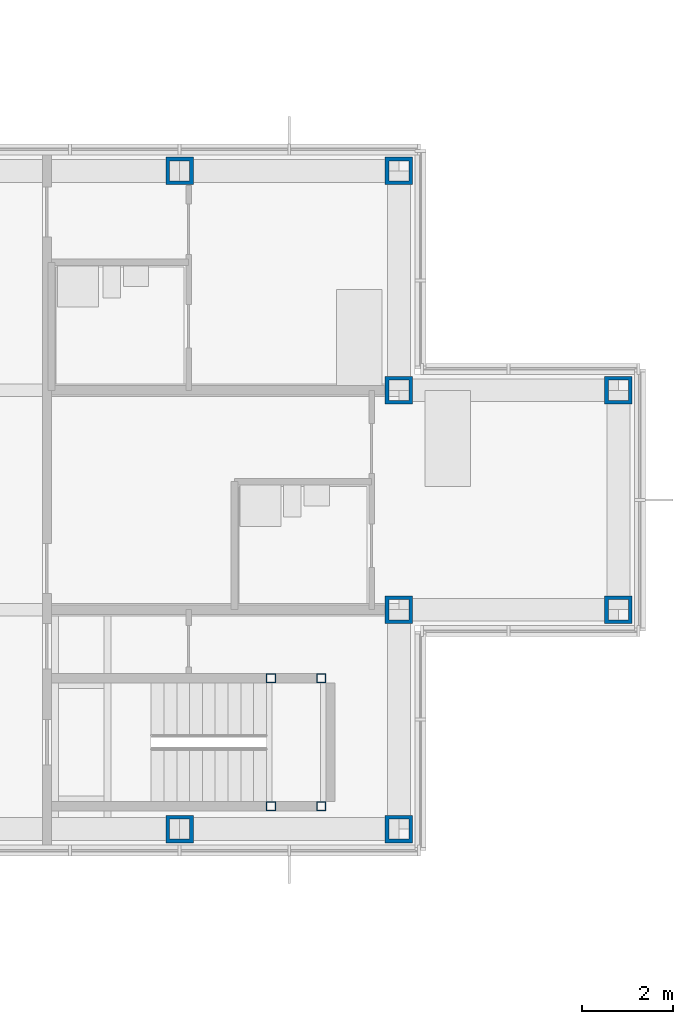
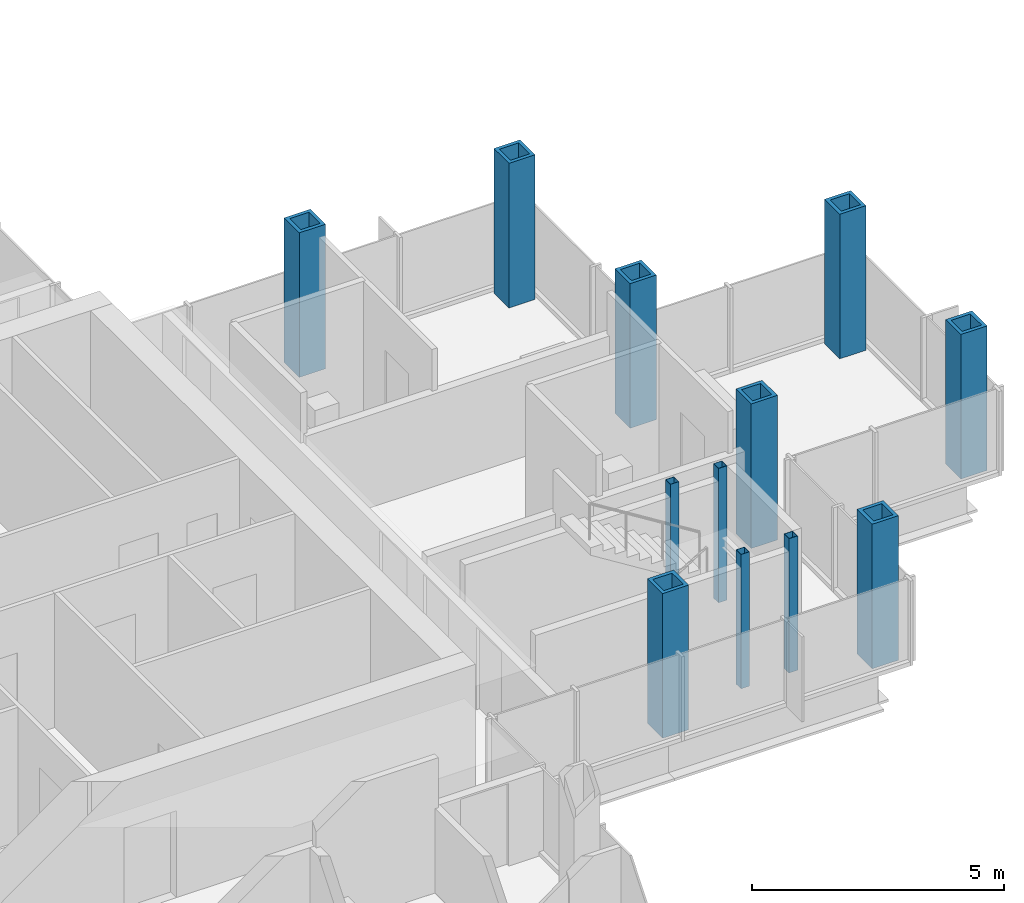
# One storey, part 4 of 17: 12 columns.
"""IFC4 building model written with IfcOpenShell, lengths in metres."""

import ifcopenshell
import ifcopenshell.guid

model = None  # the IFC model being written
_history = None  # IfcOwnerHistory: only IFC2X3 demands one
_inside = {}  # id of a spatial element -> (the spatial element, [elements in it])
_under = {}  # id of a project, library or spatial element -> (it, [spatial elements below it])
_declared = {}  # id of a project -> (the project, [libraries it declares])
_typed = {}  # id of a type object -> (the type object, [elements of that type])
_made_of = {}  # id of a material, layer set ... -> (it, [elements and type objects made of it])


def new_model(schema):
    """Start an empty IFC model of exactly this schema.

    Asked for "IFC4X3", IfcOpenShell would pick the latest addendum, in which some entities
    have other attributes; the version numbers below select the first issue.
    IFC2X3 requires an IfcOwnerHistory on every rooted entity: one is made here for all.
    """
    global model, _history
    if schema == "IFC4X3":
        model = ifcopenshell.file(schema_version=(4, 3, 0, 0))
    else:
        model = ifcopenshell.file(schema=schema)
    _inside.clear()
    _under.clear()
    _declared.clear()
    _typed.clear()
    _made_of.clear()
    _history = None
    if model.schema == "IFC2X3":
        org = make("IfcOrganization", Name="unknown")
        user = make(
            "IfcPersonAndOrganization",
            ThePerson=make("IfcPerson", FamilyName="unknown"),
            TheOrganization=org,
        )
        app = make(
            "IfcApplication",
            ApplicationDeveloper=org,
            Version="unknown",
            ApplicationFullName="unknown",
            ApplicationIdentifier="unknown",
        )
        _history = make(
            "IfcOwnerHistory",
            OwningUser=user,
            OwningApplication=app,
            ChangeAction="ADDED",
            CreationDate=0,
        )
    return model


def make(cls, **values):
    """One entity of the class cls with the attributes given. An attribute that is None is left unset."""
    return model.create_entity(
        cls, **{name: value for name, value in values.items() if value is not None}
    )


def rooted(cls, **values):
    """An entity with a GlobalId (a new one), such as an element, a storey or a relation."""
    return make(cls, GlobalId=ifcopenshell.guid.new(), OwnerHistory=_history, **values)


def si_unit(unit_type, name, prefix=None):
    """IfcSIUnit, for example si_unit("LENGTHUNIT", "METRE", prefix="MILLI")."""
    return make("IfcSIUnit", UnitType=unit_type, Prefix=prefix, Name=name)


def assignment(units):
    """IfcUnitAssignment: the units of a project."""
    return None if units is None else make("IfcUnitAssignment", Units=units)


def point(xyz):
    """IfcCartesianPoint."""
    return None if xyz is None else make("IfcCartesianPoint", Coordinates=xyz)


def direction(xyz):
    """IfcDirection."""
    return None if xyz is None else make("IfcDirection", DirectionRatios=xyz)


def frame(location, z_axis=None, x_axis=None):
    """IfcAxis2Placement3D, a coordinate frame: its origin and axes. An axis left out is left unset."""
    return make(
        "IfcAxis2Placement3D",
        Location=point(location),
        Axis=direction(z_axis),
        RefDirection=direction(x_axis),
    )


def frame_2d(location, x_axis=None):
    """IfcAxis2Placement2D, a coordinate frame in the plane: its origin and x axis."""
    return make(
        "IfcAxis2Placement2D", Location=point(location), RefDirection=direction(x_axis)
    )


def origin():
    """The frame at (0, 0, 0) with its axes left unset."""
    return frame((0.0, 0.0, 0.0))


def origin_2d():
    """The frame at (0, 0) in the plane with its x axis left unset."""
    return frame_2d((0.0, 0.0))


def place(relative_to, where):
    """IfcLocalPlacement: puts the frame where relative to a parent placement (None: the world)."""
    return make(
        "IfcLocalPlacement", PlacementRelTo=relative_to, RelativePlacement=where
    )


def context(
    kind, dimensions, precision=None, world=None, true_north=None, identifier=None
):
    """IfcGeometricRepresentationContext, for example the 3D "Model" context."""
    return make(
        "IfcGeometricRepresentationContext",
        ContextIdentifier=identifier,
        ContextType=kind,
        CoordinateSpaceDimension=dimensions,
        Precision=precision,
        WorldCoordinateSystem=world,
        TrueNorth=true_north,
    )


def subcontext(parent, identifier, kind, view, scale=None):
    """IfcGeometricRepresentationSubContext, for example "Body" below "Model"."""
    return make(
        "IfcGeometricRepresentationSubContext",
        ContextIdentifier=identifier,
        ContextType=kind,
        ParentContext=parent,
        TargetScale=scale,
        TargetView=view,
    )


def project(units=None, contexts=None):
    """IfcProject with its units and contexts."""
    return rooted(
        "IfcProject",
        Name="project",
        RepresentationContexts=contexts,
        UnitsInContext=assignment(units),
    )


def spatial(cls, under=None, at=None, **own):
    """A site, building, storey or space (cls), placed at a placement, below another one or the project."""
    s = rooted(cls, ObjectPlacement=at, **own)
    if under is not None:
        _under.setdefault(under.id(), (under, []))[1].append(s)
    return s


def profile(cls, at=None, kind="AREA", **sizes):
    """A parametric profile (cls). Its sizes go by their IFC names, for example OverallWidth=200.0."""
    return make(cls, ProfileType=kind, Position=at, **sizes)


def hollow_rectangle(**sizes):
    """IfcRectangleHollowProfileDef."""
    return profile("IfcRectangleHollowProfileDef", **sizes)


def extrude(swept, where, along, depth):
    """IfcExtrudedAreaSolid: the profile swept, set in the frame where, extruded along a direction by depth."""
    return make(
        "IfcExtrudedAreaSolid",
        SweptArea=swept,
        Position=where,
        ExtrudedDirection=direction(along),
        Depth=depth,
    )


def shape(context_of_items, identifier, shape_type, items):
    """IfcShapeRepresentation: the items that make up one representation, for example the "Body"."""
    return make(
        "IfcShapeRepresentation",
        ContextOfItems=context_of_items,
        RepresentationIdentifier=identifier,
        RepresentationType=shape_type,
        Items=items,
    )


def material(Name=None, Category=None):
    """IfcMaterial."""
    return make("IfcMaterial", Name=Name, Category=Category)


def material_profile(
    of_material, cross_section, Name=None, Category=None, Priority=None
):
    """IfcMaterialProfile: a cross section and its material."""
    return make(
        "IfcMaterialProfile",
        Name=Name,
        Material=of_material,
        Profile=cross_section,
        Priority=Priority,
        Category=Category,
    )


def profile_set(profiles, Name=None, composite=None):
    """IfcMaterialProfileSet."""
    return make(
        "IfcMaterialProfileSet",
        Name=Name,
        MaterialProfiles=profiles,
        CompositeProfile=composite,
    )


def made_of(thing, what):
    """Note that an element or type object is made of a material, layer set ...; save() writes the relation."""
    if what is not None:
        _made_of.setdefault(what.id(), (what, []))[1].append(thing)
    return thing


def type_object(cls, material=None, **own):
    """A type object (cls), such as IfcWallType, which elements share."""
    return made_of(rooted(cls, **own), material)


def element(
    cls,
    number,
    at=None,
    inside=None,
    cuts=None,
    type_object=None,
    material=None,
    context=None,
    identifier="Body",
    shape_type=None,
    held_by="IfcProductDefinitionShape",
    body=None,
    shapes=None,
    **own,
):
    """One element of the class cls, such as IfcWall. Its Tag is "e" and its number.

    at: its placement. inside: the storey or other place that contains it. cuts: it is an
    opening in that element (IfcRelVoidsElement). A single representation is given by context,
    identifier, shape_type and body (its items); several are given by shapes. held_by: the class
    of the entity that holds the representations. save() writes the other relations.
    """
    e = rooted(cls, Tag="e%d" % number, ObjectPlacement=at, **own)
    if body is not None:
        shapes = [shape(context, identifier, shape_type, body)]
    if shapes is not None:
        e.Representation = make(held_by, Representations=shapes)
    if inside is not None:
        _inside.setdefault(inside.id(), (inside, []))[1].append(e)
    if cuts is not None:
        rooted(
            "IfcRelVoidsElement", RelatingBuildingElement=cuts, RelatedOpeningElement=e
        )
    if type_object is not None:
        _typed.setdefault(type_object.id(), (type_object, []))[1].append(e)
    return made_of(e, material)


def aggregate(whole, parts):
    """IfcRelAggregates: a whole, such as a stair, and the parts it consists of."""
    return rooted("IfcRelAggregates", RelatingObject=whole, RelatedObjects=parts)


def save(model, path):
    """Write the relations noted so far, then the file.

    IfcRelAggregates (storeys below a building ...), IfcRelContainedInSpatialStructure (elements
    in a storey), IfcRelDefinesByType, IfcRelAssociatesMaterial and IfcRelDeclares: one each for
    every whole, place, type object, material and project.
    """
    for whole, parts in _under.values():
        aggregate(whole, parts)
    for where, things in _inside.values():
        rooted(
            "IfcRelContainedInSpatialStructure",
            RelatedElements=things,
            RelatingStructure=where,
        )
    for kind, things in _typed.values():
        rooted("IfcRelDefinesByType", RelatedObjects=things, RelatingType=kind)
    for what, things in _made_of.values():
        rooted("IfcRelAssociatesMaterial", RelatedObjects=things, RelatingMaterial=what)
    for by, libraries in _declared.values():
        rooted("IfcRelDeclares", RelatingContext=by, RelatedDefinitions=libraries)
    model.write(path)


model = new_model("IFC4")

# Units and contexts
model_context = context("Model", 3, precision=1e-05, world=origin(), true_north=direction((0.0, 1.0)))
body_context = subcontext(model_context, "Body", "Model", "MODEL_VIEW")
ifc_project = project(units=[si_unit("LENGTHUNIT", "METRE"), si_unit("AREAUNIT", "SQUARE_METRE"), si_unit("VOLUMEUNIT", "CUBIC_METRE"), si_unit("PLANEANGLEUNIT", "RADIAN"), si_unit("MASSUNIT", "GRAM", prefix="KILO")], contexts=[model_context])

# Site, building, storey
site_placement = place(None, origin())
site = spatial("IfcSite", under=ifc_project, at=site_placement, CompositionType="ELEMENT")
building_placement = place(site_placement, origin())
building = spatial("IfcBuilding", under=site, at=building_placement, Name="Kvirike Care Tower", CompositionType="ELEMENT")
storey_placement = place(building_placement, frame((0.0, 0.0, 186.5)))
storey = spatial("IfcBuildingStorey", under=building, at=storey_placement, Name="L51", CompositionType="ELEMENT", Elevation=186.5)

# Columns
ifc_material_1 = material(Name="Steel S460", Category="steel")
ifc_material_profile_1 = material_profile(ifc_material_1, hollow_rectangle(XDim=0.60009765625, YDim=0.60009765625, WallThickness=0.080078125, at=origin_2d()), Name="BX 600x600x80")
ifc_profile_set_1 = profile_set([ifc_material_profile_1], Name="Steel S460")
column_type_1 = type_object("IfcColumnType", Name="COLUMN BX 600x600x80", PredefinedType="COLUMN", material=ifc_profile_set_1)
for number, where, z_axis, x_axis, name in (
    (1, (33.60009765625, 28.800048828125, 0.0), (0.0, 0.0, 1.0), (0.0, 1.0, 0.0), "Column G10 L51"),
    (2, (33.60009765625, 43.199951171875, 0.0), (0.0, 0.0, 1.0), (0.0, 1.0, 0.0), "Column K10 L51"),
    (3, (38.39990234375, 28.800048828125, 0.0), (0.0, 0.0, 1.0), (0.0, 1.0, 0.0), "Column G11 L51"),
    (4, (38.39990234375, 33.60009765625, 0.0), (0.0, 0.0, 1.0), (0.0, 1.0, 0.0), "Column H11 L51"),
    (5, (38.39990234375, 38.39990234375, 0.0), (0.0, 0.0, 1.0), (0.0, 1.0, 0.0), "Column J11 L51"),
    (6, (38.39990234375, 43.199951171875, 0.0), (0.0, 0.0, 1.0), (0.0, 1.0, 0.0), "Column K11 L51"),
    (7, (43.199951171875, 33.60009765625, 0.0), (0.0, 0.0, 1.0), (0.0, 1.0, 0.0), "Column H12 L51"),
    (8, (43.199951171875, 38.39990234375, 0.0), (0.0, 0.0, 1.0), (0.0, 1.0, 0.0), "Column J12 L51"),
):
    element("IfcColumn", number, at=place(storey_placement, frame(where, z_axis=z_axis, x_axis=x_axis)), inside=storey, type_object=column_type_1, Name=name, PredefinedType="COLUMN", context=body_context, shape_type="SweptSolid", body=[
        extrude(hollow_rectangle(XDim=0.60009765625, YDim=0.60009765625, WallThickness=0.080078125, at=origin_2d()), origin(), (0.0, 0.0, 1.0), 3.5),
    ])
ifc_material_2 = material(Name="Steel S460", Category="steel")
ifc_material_profile_2 = material_profile(ifc_material_2, hollow_rectangle(XDim=0.199951171875, YDim=0.199951171875, WallThickness=0.008056640625, at=origin_2d()), Name="SHS 200x200x8")
ifc_profile_set_2 = profile_set([ifc_material_profile_2], Name="Steel S460")
column_type_2 = type_object("IfcColumnType", Name="STAIR POST SHS 200x200x8", PredefinedType="COLUMN", material=ifc_profile_set_2)
for number, where, z_axis, x_axis, name in (
    (9, (36.699951171875, 29.300048828125, 0.0), (0.0, 0.0, 1.0), (1.0, 0.0, 0.0), "Stair 2 post 1 L51"),
    (10, (36.699951171875, 32.10009765625, 0.0), (0.0, 0.0, 1.0), (1.0, 0.0, 0.0), "Stair 2 post 2 L51"),
    (11, (35.60009765625, 29.300048828125, 0.0), (0.0, 0.0, 1.0), (1.0, 0.0, 0.0), "Stair 2 post 3 L51"),
    (12, (35.60009765625, 32.10009765625, 0.0), (0.0, 0.0, 1.0), (1.0, 0.0, 0.0), "Stair 2 post 4 L51"),
):
    element("IfcColumn", number, at=place(storey_placement, frame(where, z_axis=z_axis, x_axis=x_axis)), inside=storey, type_object=column_type_2, Name=name, PredefinedType="COLUMN", context=body_context, shape_type="SweptSolid", body=[
        extrude(hollow_rectangle(XDim=0.199951171875, YDim=0.199951171875, WallThickness=0.008056640625, at=origin_2d()), origin(), (0.0, 0.0, 1.0), 3.25),
    ])

save(model, "model.ifc")
